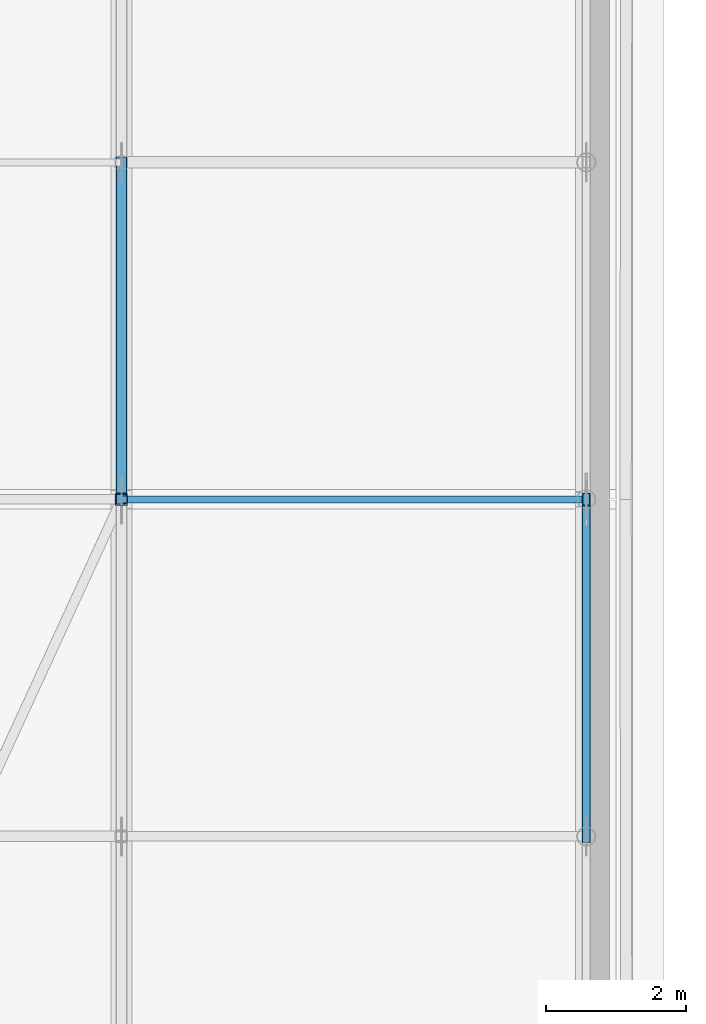
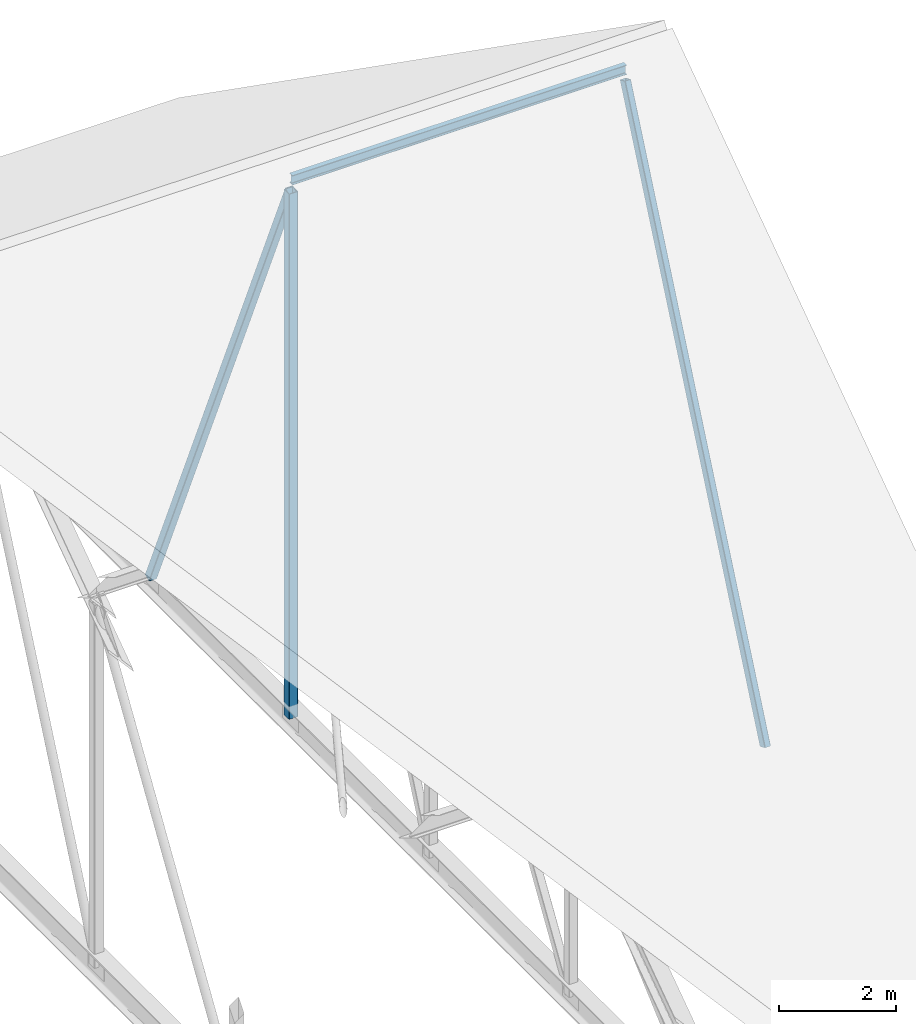
# One storey, part 79 of 134: 4 members.
"""IFC4 building model written with IfcOpenShell, lengths in metres."""

import ifcopenshell
import ifcopenshell.guid

model = None  # the IFC model being written
_history = None  # IfcOwnerHistory: only IFC2X3 demands one
_inside = {}  # id of a spatial element -> (the spatial element, [elements in it])
_under = {}  # id of a project, library or spatial element -> (it, [spatial elements below it])
_declared = {}  # id of a project -> (the project, [libraries it declares])
_typed = {}  # id of a type object -> (the type object, [elements of that type])
_made_of = {}  # id of a material, layer set ... -> (it, [elements and type objects made of it])


def new_model(schema):
    """Start an empty IFC model of exactly this schema.

    Asked for "IFC4X3", IfcOpenShell would pick the latest addendum, in which some entities
    have other attributes; the version numbers below select the first issue.
    IFC2X3 requires an IfcOwnerHistory on every rooted entity: one is made here for all.
    """
    global model, _history
    if schema == "IFC4X3":
        model = ifcopenshell.file(schema_version=(4, 3, 0, 0))
    else:
        model = ifcopenshell.file(schema=schema)
    _inside.clear()
    _under.clear()
    _declared.clear()
    _typed.clear()
    _made_of.clear()
    _history = None
    if model.schema == "IFC2X3":
        org = make("IfcOrganization", Name="unknown")
        user = make(
            "IfcPersonAndOrganization",
            ThePerson=make("IfcPerson", FamilyName="unknown"),
            TheOrganization=org,
        )
        app = make(
            "IfcApplication",
            ApplicationDeveloper=org,
            Version="unknown",
            ApplicationFullName="unknown",
            ApplicationIdentifier="unknown",
        )
        _history = make(
            "IfcOwnerHistory",
            OwningUser=user,
            OwningApplication=app,
            ChangeAction="ADDED",
            CreationDate=0,
        )
    return model


def make(cls, **values):
    """One entity of the class cls with the attributes given. An attribute that is None is left unset."""
    return model.create_entity(
        cls, **{name: value for name, value in values.items() if value is not None}
    )


def rooted(cls, **values):
    """An entity with a GlobalId (a new one), such as an element, a storey or a relation."""
    return make(cls, GlobalId=ifcopenshell.guid.new(), OwnerHistory=_history, **values)


def si_unit(unit_type, name, prefix=None):
    """IfcSIUnit, for example si_unit("LENGTHUNIT", "METRE", prefix="MILLI")."""
    return make("IfcSIUnit", UnitType=unit_type, Prefix=prefix, Name=name)


def assignment(units):
    """IfcUnitAssignment: the units of a project."""
    return None if units is None else make("IfcUnitAssignment", Units=units)


def point(xyz):
    """IfcCartesianPoint."""
    return None if xyz is None else make("IfcCartesianPoint", Coordinates=xyz)


def direction(xyz):
    """IfcDirection."""
    return None if xyz is None else make("IfcDirection", DirectionRatios=xyz)


def frame(location, z_axis=None, x_axis=None):
    """IfcAxis2Placement3D, a coordinate frame: its origin and axes. An axis left out is left unset."""
    return make(
        "IfcAxis2Placement3D",
        Location=point(location),
        Axis=direction(z_axis),
        RefDirection=direction(x_axis),
    )


def frame_2d(location, x_axis=None):
    """IfcAxis2Placement2D, a coordinate frame in the plane: its origin and x axis."""
    return make(
        "IfcAxis2Placement2D", Location=point(location), RefDirection=direction(x_axis)
    )


def origin():
    """The frame at (0, 0, 0) with its axes left unset."""
    return frame((0.0, 0.0, 0.0))


def origin_2d():
    """The frame at (0, 0) in the plane with its x axis left unset."""
    return frame_2d((0.0, 0.0))


def place(relative_to, where):
    """IfcLocalPlacement: puts the frame where relative to a parent placement (None: the world)."""
    return make(
        "IfcLocalPlacement", PlacementRelTo=relative_to, RelativePlacement=where
    )


def context(
    kind, dimensions, precision=None, world=None, true_north=None, identifier=None
):
    """IfcGeometricRepresentationContext, for example the 3D "Model" context."""
    return make(
        "IfcGeometricRepresentationContext",
        ContextIdentifier=identifier,
        ContextType=kind,
        CoordinateSpaceDimension=dimensions,
        Precision=precision,
        WorldCoordinateSystem=world,
        TrueNorth=true_north,
    )


def subcontext(parent, identifier, kind, view, scale=None):
    """IfcGeometricRepresentationSubContext, for example "Body" below "Model"."""
    return make(
        "IfcGeometricRepresentationSubContext",
        ContextIdentifier=identifier,
        ContextType=kind,
        ParentContext=parent,
        TargetScale=scale,
        TargetView=view,
    )


def project(units=None, contexts=None):
    """IfcProject with its units and contexts."""
    return rooted(
        "IfcProject",
        Name="project",
        RepresentationContexts=contexts,
        UnitsInContext=assignment(units),
    )


def spatial(cls, under=None, at=None, **own):
    """A site, building, storey or space (cls), placed at a placement, below another one or the project."""
    s = rooted(cls, ObjectPlacement=at, **own)
    if under is not None:
        _under.setdefault(under.id(), (under, []))[1].append(s)
    return s


def profile(cls, at=None, kind="AREA", **sizes):
    """A parametric profile (cls). Its sizes go by their IFC names, for example OverallWidth=200.0."""
    return make(cls, ProfileType=kind, Position=at, **sizes)


def hollow_rectangle(**sizes):
    """IfcRectangleHollowProfileDef."""
    return profile("IfcRectangleHollowProfileDef", **sizes)


def i_section(**sizes):
    """IfcIShapeProfileDef."""
    return profile("IfcIShapeProfileDef", **sizes)


def extrude(swept, where, along, depth):
    """IfcExtrudedAreaSolid: the profile swept, set in the frame where, extruded along a direction by depth."""
    return make(
        "IfcExtrudedAreaSolid",
        SweptArea=swept,
        Position=where,
        ExtrudedDirection=direction(along),
        Depth=depth,
    )


def shape(context_of_items, identifier, shape_type, items):
    """IfcShapeRepresentation: the items that make up one representation, for example the "Body"."""
    return make(
        "IfcShapeRepresentation",
        ContextOfItems=context_of_items,
        RepresentationIdentifier=identifier,
        RepresentationType=shape_type,
        Items=items,
    )


def material(Name=None, Category=None):
    """IfcMaterial."""
    return make("IfcMaterial", Name=Name, Category=Category)


def material_profile(
    of_material, cross_section, Name=None, Category=None, Priority=None
):
    """IfcMaterialProfile: a cross section and its material."""
    return make(
        "IfcMaterialProfile",
        Name=Name,
        Material=of_material,
        Profile=cross_section,
        Priority=Priority,
        Category=Category,
    )


def profile_set(profiles, Name=None, composite=None):
    """IfcMaterialProfileSet."""
    return make(
        "IfcMaterialProfileSet",
        Name=Name,
        MaterialProfiles=profiles,
        CompositeProfile=composite,
    )


def made_of(thing, what):
    """Note that an element or type object is made of a material, layer set ...; save() writes the relation."""
    if what is not None:
        _made_of.setdefault(what.id(), (what, []))[1].append(thing)
    return thing


def type_object(cls, material=None, **own):
    """A type object (cls), such as IfcWallType, which elements share."""
    return made_of(rooted(cls, **own), material)


def element(
    cls,
    number,
    at=None,
    inside=None,
    cuts=None,
    type_object=None,
    material=None,
    context=None,
    identifier="Body",
    shape_type=None,
    held_by="IfcProductDefinitionShape",
    body=None,
    shapes=None,
    **own,
):
    """One element of the class cls, such as IfcWall. Its Tag is "e" and its number.

    at: its placement. inside: the storey or other place that contains it. cuts: it is an
    opening in that element (IfcRelVoidsElement). A single representation is given by context,
    identifier, shape_type and body (its items); several are given by shapes. held_by: the class
    of the entity that holds the representations. save() writes the other relations.
    """
    e = rooted(cls, Tag="e%d" % number, ObjectPlacement=at, **own)
    if body is not None:
        shapes = [shape(context, identifier, shape_type, body)]
    if shapes is not None:
        e.Representation = make(held_by, Representations=shapes)
    if inside is not None:
        _inside.setdefault(inside.id(), (inside, []))[1].append(e)
    if cuts is not None:
        rooted(
            "IfcRelVoidsElement", RelatingBuildingElement=cuts, RelatedOpeningElement=e
        )
    if type_object is not None:
        _typed.setdefault(type_object.id(), (type_object, []))[1].append(e)
    return made_of(e, material)


def aggregate(whole, parts):
    """IfcRelAggregates: a whole, such as a stair, and the parts it consists of."""
    return rooted("IfcRelAggregates", RelatingObject=whole, RelatedObjects=parts)


def save(model, path):
    """Write the relations noted so far, then the file.

    IfcRelAggregates (storeys below a building ...), IfcRelContainedInSpatialStructure (elements
    in a storey), IfcRelDefinesByType, IfcRelAssociatesMaterial and IfcRelDeclares: one each for
    every whole, place, type object, material and project.
    """
    for whole, parts in _under.values():
        aggregate(whole, parts)
    for where, things in _inside.values():
        rooted(
            "IfcRelContainedInSpatialStructure",
            RelatedElements=things,
            RelatingStructure=where,
        )
    for kind, things in _typed.values():
        rooted("IfcRelDefinesByType", RelatedObjects=things, RelatingType=kind)
    for what, things in _made_of.values():
        rooted("IfcRelAssociatesMaterial", RelatedObjects=things, RelatingMaterial=what)
    for by, libraries in _declared.values():
        rooted("IfcRelDeclares", RelatingContext=by, RelatedDefinitions=libraries)
    model.write(path)


model = new_model("IFC4")

# Units and contexts
model_context = context("Model", 3, precision=1e-05, world=origin(), true_north=direction((0.0, 1.0)))
body_context = subcontext(model_context, "Body", "Model", "MODEL_VIEW")
ifc_project = project(units=[si_unit("LENGTHUNIT", "METRE"), si_unit("AREAUNIT", "SQUARE_METRE"), si_unit("VOLUMEUNIT", "CUBIC_METRE"), si_unit("PLANEANGLEUNIT", "RADIAN"), si_unit("MASSUNIT", "GRAM", prefix="KILO")], contexts=[model_context])

# Site, building, storey
site_placement = place(None, origin())
site = spatial("IfcSite", under=ifc_project, at=site_placement, CompositionType="ELEMENT")
building_placement = place(site_placement, origin())
building = spatial("IfcBuilding", under=site, at=building_placement, Name="Asteropetra Specialist Clinic", CompositionType="ELEMENT")
storey_placement = place(building_placement, frame((0.0, 0.0, 8.5)))
storey = spatial("IfcBuildingStorey", under=building, at=storey_placement, Name="L02", CompositionType="ELEMENT", Elevation=8.5)

# Members
ifc_material_1 = material(Name="Steel S355", Category="steel")
ifc_material_profile_1 = material_profile(ifc_material_1, hollow_rectangle(XDim=0.1201171875, YDim=0.199951171875, WallThickness=0.010009765625, InnerFilletRadius=0.008056640625, OuterFilletRadius=0.01611328125, at=origin_2d()), Name="RHS 200x120x10.0")
ifc_profile_set_1 = profile_set([ifc_material_profile_1], Name="Steel S355")
member_type_1 = type_object("IfcMemberType", Name="TR-BRC-RHS200", PredefinedType="BRACE", material=ifc_profile_set_1)
member_1_placement = place(storey_placement, frame((153.10009765625, 86.39990234375, 0.419921875), z_axis=(0.0, 0.398698675406, 0.917081984465), x_axis=(-1.0, 0.0, 0.0)))
element("IfcMember", 1, at=member_1_placement, inside=storey, type_object=member_type_1, Name="Truss Web Diagonal TRV1-D11-2", PredefinedType="BRACE", context=body_context, shape_type="SweptSolid", body=[
    extrude(hollow_rectangle(XDim=0.1201171875, YDim=0.199951171875, WallThickness=0.010009765625, InnerFilletRadius=0.008056640625, OuterFilletRadius=0.01611328125, at=origin_2d()), origin(), (0.0, 0.0, 1.0), 12.039306640625),
])
ifc_material_2 = material(Name="Steel S355", Category="steel")
ifc_material_profile_2 = material_profile(ifc_material_2, hollow_rectangle(XDim=0.159912109375, YDim=0.159912109375, WallThickness=0.008056640625, InnerFilletRadius=0.008056640625, OuterFilletRadius=0.01611328125, at=origin_2d()), Name="SHS 160x160x8.0")
ifc_profile_set_2 = profile_set([ifc_material_profile_2], Name="Steel S355")
member_type_2 = type_object("IfcMemberType", Name="TR-BRC-SHS160", PredefinedType="BRACE", material=ifc_profile_set_2)
member_2_placement = place(storey_placement, frame((146.47998046875, 91.199951171875, 11.4609375), z_axis=(0.0, 0.400223947017, -0.916417367925), x_axis=(-1.0, 0.0, 0.0)))
element("IfcMember", 2, at=member_2_placement, inside=storey, type_object=member_type_2, Name="Truss Web Diagonal TRV1-D10-3", PredefinedType="BRACE", context=body_context, shape_type="SweptSolid", body=[
    extrude(hollow_rectangle(XDim=0.159912109375, YDim=0.159912109375, WallThickness=0.008056640625, InnerFilletRadius=0.008056640625, OuterFilletRadius=0.01611328125, at=origin_2d()), origin(), (0.0, 0.0, 1.0), 11.993408203125),
])
ifc_material_3 = material(Name="Steel S355", Category="steel")
ifc_material_profile_3 = material_profile(ifc_material_3, i_section(OverallWidth=0.10009765625, OverallDepth=0.199951171875, WebThickness=0.005615234375, FlangeThickness=0.008544921875, FilletRadius=0.011962890625, at=origin_2d()), Name="IPE 200")
ifc_profile_set_3 = profile_set([ifc_material_profile_3], Name="Steel S355")
member_type_3 = type_object("IfcMemberType", Name="TR-PUR-IPE200", PredefinedType="PURLIN", material=ifc_profile_set_3)
member_3_placement = place(storey_placement, frame((146.47998046875, 91.199951171875, 11.69580078125), z_axis=(1.0, 0.0, 0.0), x_axis=(0.0, 1.0, 0.0)))
element("IfcMember", 3, at=member_3_placement, inside=storey, type_object=member_type_3, Name="Roof Purlin TRV1-P10-05", PredefinedType="PURLIN", context=body_context, shape_type="SweptSolid", body=[
    extrude(i_section(OverallWidth=0.10009765625, OverallDepth=0.199951171875, WebThickness=0.005615234375, FlangeThickness=0.008544921875, FilletRadius=0.011962890625, at=origin_2d()), origin(), (0.0, 0.0, 1.0), 6.6201171875),
])
ifc_material_4 = material(Name="Steel S355", Category="steel")
ifc_material_profile_4 = material_profile(ifc_material_4, hollow_rectangle(XDim=0.179931640625, YDim=0.179931640625, WallThickness=0.010009765625, InnerFilletRadius=0.008056640625, OuterFilletRadius=0.01611328125, at=origin_2d()), Name="SHS 180x180x10.0")
ifc_profile_set_4 = profile_set([ifc_material_profile_4], Name="Steel S355")
member_type_4 = type_object("IfcMemberType", Name="TR-STR-SHS180", PredefinedType="STRUT", material=ifc_profile_set_4)
member_4_placement = place(storey_placement, frame((146.47998046875, 91.199951171875, 0.469970703125), z_axis=(0.0, 0.0, 1.0), x_axis=(1.0, 0.0, 0.0)))
element("IfcMember", 4, at=member_4_placement, inside=storey, type_object=member_type_4, Name="Truss Web Strut TRV1-V10-3", PredefinedType="STRUT", context=body_context, shape_type="SweptSolid", body=[
    extrude(hollow_rectangle(XDim=0.179931640625, YDim=0.179931640625, WallThickness=0.010009765625, InnerFilletRadius=0.008056640625, OuterFilletRadius=0.01611328125, at=origin_2d()), origin(), (0.0, 0.0, 1.0), 10.990966796875),
])

save(model, "model.ifc")
